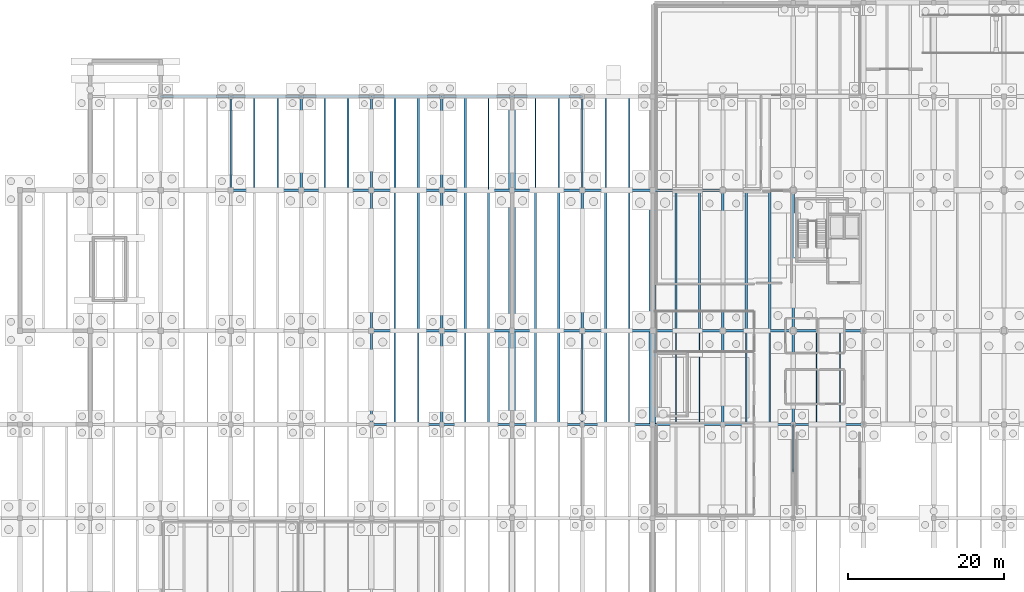
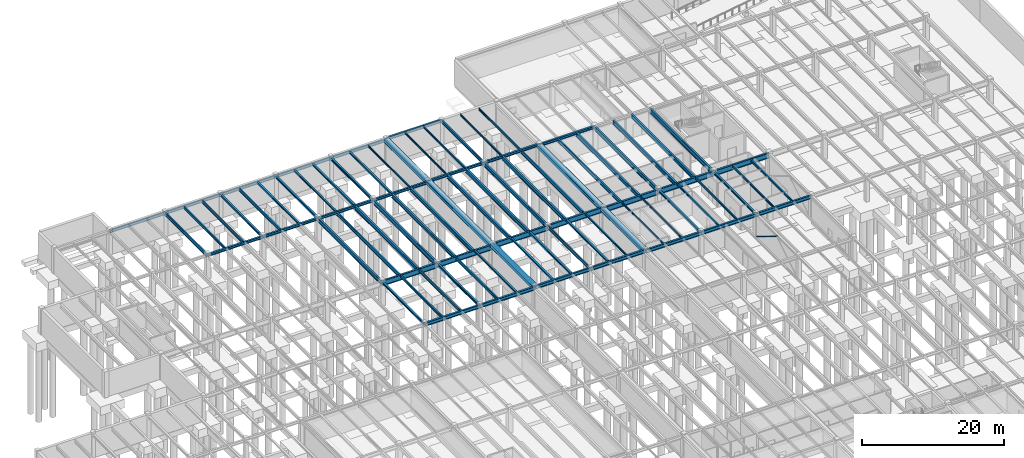
# One storey, part 18 of 40: 85 beams, 1 member.
"""IFC4 building model written with IfcOpenShell, lengths in metres."""

import ifcopenshell
import ifcopenshell.guid

model = None  # the IFC model being written
_history = None  # IfcOwnerHistory: only IFC2X3 demands one
_inside = {}  # id of a spatial element -> (the spatial element, [elements in it])
_under = {}  # id of a project, library or spatial element -> (it, [spatial elements below it])
_declared = {}  # id of a project -> (the project, [libraries it declares])
_typed = {}  # id of a type object -> (the type object, [elements of that type])
_made_of = {}  # id of a material, layer set ... -> (it, [elements and type objects made of it])


def new_model(schema):
    """Start an empty IFC model of exactly this schema.

    Asked for "IFC4X3", IfcOpenShell would pick the latest addendum, in which some entities
    have other attributes; the version numbers below select the first issue.
    IFC2X3 requires an IfcOwnerHistory on every rooted entity: one is made here for all.
    """
    global model, _history
    if schema == "IFC4X3":
        model = ifcopenshell.file(schema_version=(4, 3, 0, 0))
    else:
        model = ifcopenshell.file(schema=schema)
    _inside.clear()
    _under.clear()
    _declared.clear()
    _typed.clear()
    _made_of.clear()
    _history = None
    if model.schema == "IFC2X3":
        org = make("IfcOrganization", Name="unknown")
        user = make(
            "IfcPersonAndOrganization",
            ThePerson=make("IfcPerson", FamilyName="unknown"),
            TheOrganization=org,
        )
        app = make(
            "IfcApplication",
            ApplicationDeveloper=org,
            Version="unknown",
            ApplicationFullName="unknown",
            ApplicationIdentifier="unknown",
        )
        _history = make(
            "IfcOwnerHistory",
            OwningUser=user,
            OwningApplication=app,
            ChangeAction="ADDED",
            CreationDate=0,
        )
    return model


def make(cls, **values):
    """One entity of the class cls with the attributes given. An attribute that is None is left unset."""
    return model.create_entity(
        cls, **{name: value for name, value in values.items() if value is not None}
    )


def rooted(cls, **values):
    """An entity with a GlobalId (a new one), such as an element, a storey or a relation."""
    return make(cls, GlobalId=ifcopenshell.guid.new(), OwnerHistory=_history, **values)


def si_unit(unit_type, name, prefix=None):
    """IfcSIUnit, for example si_unit("LENGTHUNIT", "METRE", prefix="MILLI")."""
    return make("IfcSIUnit", UnitType=unit_type, Prefix=prefix, Name=name)


def assignment(units):
    """IfcUnitAssignment: the units of a project."""
    return None if units is None else make("IfcUnitAssignment", Units=units)


def point(xyz):
    """IfcCartesianPoint."""
    return None if xyz is None else make("IfcCartesianPoint", Coordinates=xyz)


def direction(xyz):
    """IfcDirection."""
    return None if xyz is None else make("IfcDirection", DirectionRatios=xyz)


def frame(location, z_axis=None, x_axis=None):
    """IfcAxis2Placement3D, a coordinate frame: its origin and axes. An axis left out is left unset."""
    return make(
        "IfcAxis2Placement3D",
        Location=point(location),
        Axis=direction(z_axis),
        RefDirection=direction(x_axis),
    )


def frame_2d(location, x_axis=None):
    """IfcAxis2Placement2D, a coordinate frame in the plane: its origin and x axis."""
    return make(
        "IfcAxis2Placement2D", Location=point(location), RefDirection=direction(x_axis)
    )


def origin():
    """The frame at (0, 0, 0) with its axes left unset."""
    return frame((0.0, 0.0, 0.0))


def origin_2d():
    """The frame at (0, 0) in the plane with its x axis left unset."""
    return frame_2d((0.0, 0.0))


def place(relative_to, where):
    """IfcLocalPlacement: puts the frame where relative to a parent placement (None: the world)."""
    return make(
        "IfcLocalPlacement", PlacementRelTo=relative_to, RelativePlacement=where
    )


def context(
    kind, dimensions, precision=None, world=None, true_north=None, identifier=None
):
    """IfcGeometricRepresentationContext, for example the 3D "Model" context."""
    return make(
        "IfcGeometricRepresentationContext",
        ContextIdentifier=identifier,
        ContextType=kind,
        CoordinateSpaceDimension=dimensions,
        Precision=precision,
        WorldCoordinateSystem=world,
        TrueNorth=true_north,
    )


def subcontext(parent, identifier, kind, view, scale=None):
    """IfcGeometricRepresentationSubContext, for example "Body" below "Model"."""
    return make(
        "IfcGeometricRepresentationSubContext",
        ContextIdentifier=identifier,
        ContextType=kind,
        ParentContext=parent,
        TargetScale=scale,
        TargetView=view,
    )


def project(units=None, contexts=None):
    """IfcProject with its units and contexts."""
    return rooted(
        "IfcProject",
        Name="project",
        RepresentationContexts=contexts,
        UnitsInContext=assignment(units),
    )


def spatial(cls, under=None, at=None, **own):
    """A site, building, storey or space (cls), placed at a placement, below another one or the project."""
    s = rooted(cls, ObjectPlacement=at, **own)
    if under is not None:
        _under.setdefault(under.id(), (under, []))[1].append(s)
    return s


def profile(cls, at=None, kind="AREA", **sizes):
    """A parametric profile (cls). Its sizes go by their IFC names, for example OverallWidth=200.0."""
    return make(cls, ProfileType=kind, Position=at, **sizes)


def hollow_circle(**sizes):
    """IfcCircleHollowProfileDef."""
    return profile("IfcCircleHollowProfileDef", **sizes)


def i_section(**sizes):
    """IfcIShapeProfileDef."""
    return profile("IfcIShapeProfileDef", **sizes)


def extrude(swept, where, along, depth):
    """IfcExtrudedAreaSolid: the profile swept, set in the frame where, extruded along a direction by depth."""
    return make(
        "IfcExtrudedAreaSolid",
        SweptArea=swept,
        Position=where,
        ExtrudedDirection=direction(along),
        Depth=depth,
    )


def shape(context_of_items, identifier, shape_type, items):
    """IfcShapeRepresentation: the items that make up one representation, for example the "Body"."""
    return make(
        "IfcShapeRepresentation",
        ContextOfItems=context_of_items,
        RepresentationIdentifier=identifier,
        RepresentationType=shape_type,
        Items=items,
    )


def material(Name=None, Category=None):
    """IfcMaterial."""
    return make("IfcMaterial", Name=Name, Category=Category)


def material_profile(
    of_material, cross_section, Name=None, Category=None, Priority=None
):
    """IfcMaterialProfile: a cross section and its material."""
    return make(
        "IfcMaterialProfile",
        Name=Name,
        Material=of_material,
        Profile=cross_section,
        Priority=Priority,
        Category=Category,
    )


def profile_set(profiles, Name=None, composite=None):
    """IfcMaterialProfileSet."""
    return make(
        "IfcMaterialProfileSet",
        Name=Name,
        MaterialProfiles=profiles,
        CompositeProfile=composite,
    )


def made_of(thing, what):
    """Note that an element or type object is made of a material, layer set ...; save() writes the relation."""
    if what is not None:
        _made_of.setdefault(what.id(), (what, []))[1].append(thing)
    return thing


def type_object(cls, material=None, **own):
    """A type object (cls), such as IfcWallType, which elements share."""
    return made_of(rooted(cls, **own), material)


def element(
    cls,
    number,
    at=None,
    inside=None,
    cuts=None,
    type_object=None,
    material=None,
    context=None,
    identifier="Body",
    shape_type=None,
    held_by="IfcProductDefinitionShape",
    body=None,
    shapes=None,
    **own,
):
    """One element of the class cls, such as IfcWall. Its Tag is "e" and its number.

    at: its placement. inside: the storey or other place that contains it. cuts: it is an
    opening in that element (IfcRelVoidsElement). A single representation is given by context,
    identifier, shape_type and body (its items); several are given by shapes. held_by: the class
    of the entity that holds the representations. save() writes the other relations.
    """
    e = rooted(cls, Tag="e%d" % number, ObjectPlacement=at, **own)
    if body is not None:
        shapes = [shape(context, identifier, shape_type, body)]
    if shapes is not None:
        e.Representation = make(held_by, Representations=shapes)
    if inside is not None:
        _inside.setdefault(inside.id(), (inside, []))[1].append(e)
    if cuts is not None:
        rooted(
            "IfcRelVoidsElement", RelatingBuildingElement=cuts, RelatedOpeningElement=e
        )
    if type_object is not None:
        _typed.setdefault(type_object.id(), (type_object, []))[1].append(e)
    return made_of(e, material)


def aggregate(whole, parts):
    """IfcRelAggregates: a whole, such as a stair, and the parts it consists of."""
    return rooted("IfcRelAggregates", RelatingObject=whole, RelatedObjects=parts)


def save(model, path):
    """Write the relations noted so far, then the file.

    IfcRelAggregates (storeys below a building ...), IfcRelContainedInSpatialStructure (elements
    in a storey), IfcRelDefinesByType, IfcRelAssociatesMaterial and IfcRelDeclares: one each for
    every whole, place, type object, material and project.
    """
    for whole, parts in _under.values():
        aggregate(whole, parts)
    for where, things in _inside.values():
        rooted(
            "IfcRelContainedInSpatialStructure",
            RelatedElements=things,
            RelatingStructure=where,
        )
    for kind, things in _typed.values():
        rooted("IfcRelDefinesByType", RelatedObjects=things, RelatingType=kind)
    for what, things in _made_of.values():
        rooted("IfcRelAssociatesMaterial", RelatedObjects=things, RelatingMaterial=what)
    for by, libraries in _declared.values():
        rooted("IfcRelDeclares", RelatingContext=by, RelatedDefinitions=libraries)
    model.write(path)


model = new_model("IFC4")

# Units and contexts
model_context = context("Model", 3, precision=1e-05, world=origin(), true_north=direction((0.0, 1.0)))
body_context = subcontext(model_context, "Body", "Model", "MODEL_VIEW")
ifc_project = project(units=[si_unit("LENGTHUNIT", "METRE"), si_unit("AREAUNIT", "SQUARE_METRE"), si_unit("VOLUMEUNIT", "CUBIC_METRE"), si_unit("PLANEANGLEUNIT", "RADIAN"), si_unit("MASSUNIT", "GRAM", prefix="KILO")], contexts=[model_context])

# Site, building, storey
site_placement = place(None, origin())
site = spatial("IfcSite", under=ifc_project, at=site_placement, CompositionType="ELEMENT")
building_placement = place(site_placement, origin())
building = spatial("IfcBuilding", under=site, at=building_placement, Name="Montelvaro Courts of Justice", CompositionType="ELEMENT")
storey_placement = place(building_placement, frame((0.0, 0.0, -4.5)))
storey = spatial("IfcBuildingStorey", under=building, at=storey_placement, Name="B01", CompositionType="ELEMENT", Elevation=-4.5)

# Beams
ifc_material = material(Name="Steel S355", Category="steel")
ifc_material_profile_1 = material_profile(ifc_material, i_section(OverallWidth=0.280029296875, OverallDepth=0.27001953125, WebThickness=0.008056640625, FlangeThickness=0.012939453125, at=origin_2d()), Name="HEA 280")
ifc_profile_set_1 = profile_set([ifc_material_profile_1], Name="Steel S355")
beam_type_1 = type_object("IfcBeamType", Name="Beam_HEA280", PredefinedType="BEAM", material=ifc_profile_set_1)
for number, where, z_axis, x_axis, name in (
    (1, (60.0, 96.110107421875, 4.044921875), (0.0, 1.0, 0.0), (-1.0, 0.0, 0.0), "Beam B-14 B01"),
    (2, (66.0, 96.110107421875, 4.044921875), (0.0, 1.0, 0.0), (-1.0, 0.0, 0.0), "Beam B-14 B01"),
    (3, (78.0, 66.110107421875, 4.18505859375), (0.0, 1.0, 0.0), (-1.0, 0.0, 0.0), "Beam B-14 B01"),
    (4, (84.0, 66.110107421875, 4.18505859375), (0.0, 1.0, 0.0), (-1.0, 0.0, 0.0), "Beam B-14 B01"),
):
    element("IfcBeam", number, at=place(storey_placement, frame(where, z_axis=z_axis, x_axis=x_axis)), inside=storey, type_object=beam_type_1, Name=name, PredefinedType="BEAM", context=body_context, shape_type="SweptSolid", body=[
        extrude(i_section(OverallWidth=0.280029296875, OverallDepth=0.27001953125, WebThickness=0.008056640625, FlangeThickness=0.012939453125, at=origin_2d()), origin(), (0.0, 0.0, 1.0), 11.77978515625),
    ])
ifc_material_profile_2 = material_profile(ifc_material, i_section(OverallWidth=0.300048828125, OverallDepth=0.31005859375, WebThickness=0.009033203125, FlangeThickness=0.015380859375, at=origin_2d()), Name="HEA 320")
ifc_profile_set_2 = profile_set([ifc_material_profile_2], Name="Steel S355")
beam_type_2 = type_object("IfcBeamType", Name="Beam_HEA320", PredefinedType="BEAM", material=ifc_profile_set_2)
for number, where, z_axis, x_axis, name in (
    (5, (69.0, 96.110107421875, 4.02490234375), (0.0, 1.0, 0.0), (-1.0, 0.0, 0.0), "Beam B-15 B01"),
    (6, (75.0, 96.110107421875, 4.02490234375), (0.0, 1.0, 0.0), (-1.0, 0.0, 0.0), "Beam B-15 B01"),
    (7, (87.0, 66.110107421875, 4.1650390625), (0.0, 1.0, 0.0), (-1.0, 0.0, 0.0), "Beam B-15 B01"),
    (8, (93.0, 66.110107421875, 4.1650390625), (0.0, 1.0, 0.0), (-1.0, 0.0, 0.0), "Beam B-15 B01"),
):
    element("IfcBeam", number, at=place(storey_placement, frame(where, z_axis=z_axis, x_axis=x_axis)), inside=storey, type_object=beam_type_2, Name=name, PredefinedType="BEAM", context=body_context, shape_type="SweptSolid", body=[
        extrude(i_section(OverallWidth=0.300048828125, OverallDepth=0.31005859375, WebThickness=0.009033203125, FlangeThickness=0.015380859375, at=origin_2d()), origin(), (0.0, 0.0, 1.0), 11.77978515625),
    ])
ifc_material_profile_3 = material_profile(ifc_material, i_section(OverallWidth=0.300048828125, OverallDepth=0.35009765625, WebThickness=0.010009765625, FlangeThickness=0.017578125, at=origin_2d()), Name="HEA 360")
ifc_profile_set_3 = profile_set([ifc_material_profile_3], Name="Steel S355")
beam_type_3 = type_object("IfcBeamType", Name="Beam_HEA360", PredefinedType="USERDEFINED", material=ifc_profile_set_3)
for number, where, z_axis, x_axis, name in (
    (9, (54.0, 96.0, 4.0048828125), (0.0, 1.0, 0.0), (-1.0, 0.0, 0.0), "Beam B-16 B01"),
    (10, (108.0, 66.0, 4.02490234375), (0.0, 1.0, 0.0), (-1.0, 0.0, 0.0), "Beam B-16 B01"),
):
    element("IfcBeam", number, at=place(storey_placement, frame(where, z_axis=z_axis, x_axis=x_axis)), inside=storey, type_object=beam_type_3, Name=name, ObjectType="GIRDER", PredefinedType="USERDEFINED", context=body_context, shape_type="SweptSolid", body=[
        extrude(i_section(OverallWidth=0.300048828125, OverallDepth=0.35009765625, WebThickness=0.010009765625, FlangeThickness=0.017578125, at=origin_2d()), origin(), (0.0, 0.0, 1.0), 12.0),
    ])
ifc_material_profile_4 = material_profile(ifc_material, i_section(OverallWidth=0.300048828125, OverallDepth=0.389892578125, WebThickness=0.010986328125, FlangeThickness=0.01904296875, at=origin_2d()), Name="HEA 400")
ifc_profile_set_4 = profile_set([ifc_material_profile_4], Name="Steel S355")
beam_type_4 = type_object("IfcBeamType", Name="Beam_HEA400", PredefinedType="USERDEFINED", material=ifc_profile_set_4)
for number, where, z_axis, x_axis, name in (
    (11, (63.0, 66.0, 4.02490234375), (0.0, 1.0, 0.0), (-1.0, 0.0, 0.0), "Beam B-17 B01"),
    (12, (63.0, 96.0, 3.985107421875), (0.0, 1.0, 0.0), (-1.0, 0.0, 0.0), "Beam B-17 B01"),
    (13, (117.0, 66.0, 4.0048828125), (0.0, 1.0, 0.0), (-1.0, 0.0, 0.0), "Beam B-17 B01"),
):
    element("IfcBeam", number, at=place(storey_placement, frame(where, z_axis=z_axis, x_axis=x_axis)), inside=storey, type_object=beam_type_4, Name=name, ObjectType="GIRDER", PredefinedType="USERDEFINED", context=body_context, shape_type="SweptSolid", body=[
        extrude(i_section(OverallWidth=0.300048828125, OverallDepth=0.389892578125, WebThickness=0.010986328125, FlangeThickness=0.01904296875, at=origin_2d()), origin(), (0.0, 0.0, 1.0), 12.0),
    ])
ifc_material_profile_5 = material_profile(ifc_material, i_section(OverallWidth=0.300048828125, OverallDepth=0.43994140625, WebThickness=0.011474609375, FlangeThickness=0.02099609375, at=origin_2d()), Name="HEA 450")
ifc_profile_set_5 = profile_set([ifc_material_profile_5], Name="Steel S355")
beam_type_5 = type_object("IfcBeamType", Name="Beam_HEA450", PredefinedType="USERDEFINED", material=ifc_profile_set_5)
for number, where, z_axis, x_axis, name in (
    (14, (45.0, 96.0, 3.9599609375), (1.0, 0.0, 0.0), (0.0, 1.0, 0.0), "Beam B-18 B01"),
    (15, (54.0, 96.0, 3.9599609375), (1.0, 0.0, 0.0), (0.0, 1.0, 0.0), "Beam B-18 B01"),
    (16, (63.0, 96.0, 3.9599609375), (1.0, 0.0, 0.0), (0.0, 1.0, 0.0), "Beam B-18 B01"),
):
    element("IfcBeam", number, at=place(storey_placement, frame(where, z_axis=z_axis, x_axis=x_axis)), inside=storey, type_object=beam_type_5, Name=name, ObjectType="GIRDER", PredefinedType="USERDEFINED", context=body_context, shape_type="SweptSolid", body=[
        extrude(i_section(OverallWidth=0.300048828125, OverallDepth=0.43994140625, WebThickness=0.011474609375, FlangeThickness=0.02099609375, at=origin_2d()), origin(), (0.0, 0.0, 1.0), 9.0),
    ])
for number, where, z_axis, x_axis, name in (
    (17, (72.0, 96.0, 3.9599609375), (1.0, 0.0, 0.0), (0.0, 1.0, 0.0), "Beam B-18 B01"),
    (18, (81.050048828125, 96.0, 4.10009765625), (1.0, 0.0, 0.0), (0.0, 1.0, 0.0), "Beam B-18 B01"),
    (19, (90.0, 96.0, 4.10009765625), (1.0, 0.0, 0.0), (0.0, 1.0, 0.0), "Beam B-18 B01"),
    (20, (99.050048828125, 96.0, 3.97998046875), (1.0, 0.0, 0.0), (0.0, 1.0, 0.0), "Beam B-18 B01"),
):
    element("IfcBeam", number, at=place(storey_placement, frame(where, z_axis=z_axis, x_axis=x_axis)), inside=storey, type_object=beam_type_5, Name=name, ObjectType="GIRDER", PredefinedType="USERDEFINED", context=body_context, shape_type="SweptSolid", body=[
        extrude(i_section(OverallWidth=0.300048828125, OverallDepth=0.43994140625, WebThickness=0.011474609375, FlangeThickness=0.02099609375, at=origin_2d()), origin(), (0.0, 0.0, 1.0), 8.949951171875),
    ])
for number, where, z_axis, x_axis, name in (
    (21, (72.0, 66.0, 4.0), (0.0, 1.0, 0.0), (-1.0, 0.0, 0.0), "Beam B-18 B01"),
    (22, (72.0, 96.0, 3.9599609375), (0.0, 1.0, 0.0), (-1.0, 0.0, 0.0), "Beam B-18 B01"),
):
    element("IfcBeam", number, at=place(storey_placement, frame(where, z_axis=z_axis, x_axis=x_axis)), inside=storey, type_object=beam_type_5, Name=name, ObjectType="GIRDER", PredefinedType="USERDEFINED", context=body_context, shape_type="SweptSolid", body=[
        extrude(i_section(OverallWidth=0.300048828125, OverallDepth=0.43994140625, WebThickness=0.011474609375, FlangeThickness=0.02099609375, at=origin_2d()), origin(), (0.0, 0.0, 1.0), 12.0),
    ])
ifc_material_profile_6 = material_profile(ifc_material, i_section(OverallWidth=0.300048828125, OverallDepth=0.489990234375, WebThickness=0.011962890625, FlangeThickness=0.02294921875, at=origin_2d()), Name="HEA 500")
ifc_profile_set_6 = profile_set([ifc_material_profile_6], Name="Steel S355")
beam_type_6 = type_object("IfcBeamType", Name="Beam_HEA500", PredefinedType="USERDEFINED", material=ifc_profile_set_6)
for number, where, z_axis, x_axis, name in (
    (23, (36.0, 108.0, 3.93505859375), (1.0, 0.0, 0.0), (0.0, 1.0, 0.0), "Beam B-19 B01"),
    (24, (45.0, 108.0, 3.93505859375), (1.0, 0.0, 0.0), (0.0, 1.0, 0.0), "Beam B-19 B01"),
    (25, (54.0, 108.0, 3.93505859375), (1.0, 0.0, 0.0), (0.0, 1.0, 0.0), "Beam B-19 B01"),
    (26, (63.0, 108.0, 3.93505859375), (1.0, 0.0, 0.0), (0.0, 1.0, 0.0), "Beam B-19 B01"),
):
    element("IfcBeam", number, at=place(storey_placement, frame(where, z_axis=z_axis, x_axis=x_axis)), inside=storey, type_object=beam_type_6, Name=name, ObjectType="GIRDER", PredefinedType="USERDEFINED", context=body_context, shape_type="SweptSolid", body=[
        extrude(i_section(OverallWidth=0.300048828125, OverallDepth=0.489990234375, WebThickness=0.011962890625, FlangeThickness=0.02294921875, at=origin_2d()), origin(), (0.0, 0.0, 1.0), 9.0),
    ])
for number, where, z_axis, x_axis, name in (
    (27, (72.0, 108.0, 3.93505859375), (1.0, 0.0, 0.0), (0.0, 1.0, 0.0), "Beam B-19 B01"),
    (28, (81.050048828125, 108.0, 4.074951171875), (1.0, 0.0, 0.0), (0.0, 1.0, 0.0), "Beam B-19 B01"),
):
    element("IfcBeam", number, at=place(storey_placement, frame(where, z_axis=z_axis, x_axis=x_axis)), inside=storey, type_object=beam_type_6, Name=name, ObjectType="GIRDER", PredefinedType="USERDEFINED", context=body_context, shape_type="SweptSolid", body=[
        extrude(i_section(OverallWidth=0.300048828125, OverallDepth=0.489990234375, WebThickness=0.011962890625, FlangeThickness=0.02294921875, at=origin_2d()), origin(), (0.0, 0.0, 1.0), 8.949951171875),
    ])
ifc_material_profile_7 = material_profile(ifc_material, i_section(OverallWidth=0.300048828125, OverallDepth=0.639892578125, WebThickness=0.013427734375, FlangeThickness=0.02587890625, at=origin_2d()), Name="HEA 650")
ifc_profile_set_7 = profile_set([ifc_material_profile_7], Name="Steel S355")
beam_type_7 = type_object("IfcBeamType", Name="Beam_HEA650", PredefinedType="USERDEFINED", material=ifc_profile_set_7)
for number, where, z_axis, x_axis, name in (
    (29, (78.0, 78.110107421875, 3.860107421875), (0.0, 1.0, 0.0), (-1.0, 0.0, 0.0), "Beam B-22 B01"),
    (30, (84.0, 78.110107421875, 4.0), (0.0, 1.0, 0.0), (-1.0, 0.0, 0.0), "Beam B-22 B01"),
    (31, (114.0, 78.110107421875, 3.8798828125), (0.0, 1.0, 0.0), (-1.0, 0.0, 0.0), "Beam B-22 B01"),
):
    element("IfcBeam", number, at=place(storey_placement, frame(where, z_axis=z_axis, x_axis=x_axis)), inside=storey, type_object=beam_type_7, Name=name, ObjectType="GIRDER", PredefinedType="USERDEFINED", context=body_context, shape_type="SweptSolid", body=[
        extrude(i_section(OverallWidth=0.300048828125, OverallDepth=0.639892578125, WebThickness=0.013427734375, FlangeThickness=0.02587890625, at=origin_2d()), origin(), (0.0, 0.0, 1.0), 17.77978515625),
    ])
ifc_material_profile_8 = material_profile(ifc_material, i_section(OverallWidth=0.300048828125, OverallDepth=0.68994140625, WebThickness=0.014404296875, FlangeThickness=0.027099609375, at=origin_2d()), Name="HEA 700")
ifc_profile_set_8 = profile_set([ifc_material_profile_8], Name="Steel S355")
beam_type_8 = type_object("IfcBeamType", Name="Beam_HEA700", PredefinedType="USERDEFINED", material=ifc_profile_set_8)
for number, where, z_axis, x_axis, name in (
    (32, (63.0, 78.0, 3.8349609375), (0.0, 1.0, 0.0), (-1.0, 0.0, 0.0), "Beam B-23 B01"),
    (33, (108.0, 78.0, 3.85498046875), (0.0, 1.0, 0.0), (-1.0, 0.0, 0.0), "Beam B-23 B01"),
):
    element("IfcBeam", number, at=place(storey_placement, frame(where, z_axis=z_axis, x_axis=x_axis)), inside=storey, type_object=beam_type_8, Name=name, ObjectType="GIRDER", PredefinedType="USERDEFINED", context=body_context, shape_type="SweptSolid", body=[
        extrude(i_section(OverallWidth=0.300048828125, OverallDepth=0.68994140625, WebThickness=0.014404296875, FlangeThickness=0.027099609375, at=origin_2d()), origin(), (0.0, 0.0, 1.0), 18.0),
    ])
for number, where, z_axis, x_axis, name in (
    (34, (87.0, 78.110107421875, 3.97509765625), (0.0, 1.0, 0.0), (-1.0, 0.0, 0.0), "Beam B-23 B01"),
    (35, (93.0, 78.110107421875, 3.97509765625), (0.0, 1.0, 0.0), (-1.0, 0.0, 0.0), "Beam B-23 B01"),
):
    element("IfcBeam", number, at=place(storey_placement, frame(where, z_axis=z_axis, x_axis=x_axis)), inside=storey, type_object=beam_type_8, Name=name, ObjectType="GIRDER", PredefinedType="USERDEFINED", context=body_context, shape_type="SweptSolid", body=[
        extrude(i_section(OverallWidth=0.300048828125, OverallDepth=0.68994140625, WebThickness=0.014404296875, FlangeThickness=0.027099609375, at=origin_2d()), origin(), (0.0, 0.0, 1.0), 17.77978515625),
    ])
ifc_material_profile_9 = material_profile(ifc_material, i_section(OverallWidth=0.300048828125, OverallDepth=0.7900390625, WebThickness=0.014892578125, FlangeThickness=0.028076171875, at=origin_2d()), Name="HEA 800")
ifc_profile_set_9 = profile_set([ifc_material_profile_9], Name="Steel S355")
beam_type_9 = type_object("IfcBeamType", Name="Beam_HEA800", PredefinedType="USERDEFINED", material=ifc_profile_set_9)
for number, where, z_axis, x_axis, name in (
    (36, (72.0, 78.0, 3.784912109375), (0.0, 1.0, 0.0), (-1.0, 0.0, 0.0), "Beam B-24 B01"),
    (37, (117.0, 78.0, 3.804931640625), (0.0, 1.0, 0.0), (-1.0, 0.0, 0.0), "Beam B-24 B01"),
):
    element("IfcBeam", number, at=place(storey_placement, frame(where, z_axis=z_axis, x_axis=x_axis)), inside=storey, type_object=beam_type_9, Name=name, ObjectType="GIRDER", PredefinedType="USERDEFINED", context=body_context, shape_type="SweptSolid", body=[
        extrude(i_section(OverallWidth=0.300048828125, OverallDepth=0.7900390625, WebThickness=0.014892578125, FlangeThickness=0.028076171875, at=origin_2d()), origin(), (0.0, 0.0, 1.0), 18.0),
    ])
ifc_material_profile_10 = material_profile(ifc_material, i_section(OverallWidth=0.300048828125, OverallDepth=0.60009765625, WebThickness=0.015380859375, FlangeThickness=0.030029296875, at=origin_2d()), Name="HEB 600")
ifc_profile_set_10 = profile_set([ifc_material_profile_10], Name="Steel S355")
beam_type_10 = type_object("IfcBeamType", Name="Beam_HEB600", PredefinedType="USERDEFINED", material=ifc_profile_set_10)
beam_1_placement = place(storey_placement, frame((63.0, 66.0, 3.919921875), z_axis=(1.0, 0.0, 0.0), x_axis=(0.0, 1.0, 0.0)))
element("IfcBeam", 38, at=beam_1_placement, inside=storey, type_object=beam_type_10, Name="Beam B-26 B01", ObjectType="GIRDER", PredefinedType="USERDEFINED", context=body_context, shape_type="SweptSolid", body=[
    extrude(i_section(OverallWidth=0.300048828125, OverallDepth=0.60009765625, WebThickness=0.015380859375, FlangeThickness=0.030029296875, at=origin_2d()), origin(), (0.0, 0.0, 1.0), 9.0),
])
for number, where, z_axis, x_axis, name in (
    (39, (72.0, 66.0, 3.919921875), (1.0, 0.0, 0.0), (0.0, 1.0, 0.0), "Beam B-26 B01"),
    (40, (81.050048828125, 66.0, 4.02001953125), (1.0, 0.0, 0.0), (0.0, 1.0, 0.0), "Beam B-26 B01"),
    (41, (90.0, 66.0, 4.02001953125), (1.0, 0.0, 0.0), (0.0, 1.0, 0.0), "Beam B-26 B01"),
    (42, (99.050048828125, 66.0, 3.89990234375), (1.0, 0.0, 0.0), (0.0, 1.0, 0.0), "Beam B-26 B01"),
):
    element("IfcBeam", number, at=place(storey_placement, frame(where, z_axis=z_axis, x_axis=x_axis)), inside=storey, type_object=beam_type_10, Name=name, ObjectType="GIRDER", PredefinedType="USERDEFINED", context=body_context, shape_type="SweptSolid", body=[
        extrude(i_section(OverallWidth=0.300048828125, OverallDepth=0.60009765625, WebThickness=0.015380859375, FlangeThickness=0.030029296875, at=origin_2d()), origin(), (0.0, 0.0, 1.0), 8.949951171875),
    ])
for number, where, z_axis, x_axis, name in (
    (43, (108.0, 66.0, 3.89990234375), (1.0, 0.0, 0.0), (0.0, 1.0, 0.0), "Beam B-26 B01"),
    (44, (117.0, 66.0, 3.89990234375), (1.0, 0.0, 0.0), (0.0, 1.0, 0.0), "Beam B-26 B01"),
):
    element("IfcBeam", number, at=place(storey_placement, frame(where, z_axis=z_axis, x_axis=x_axis)), inside=storey, type_object=beam_type_10, Name=name, ObjectType="GIRDER", PredefinedType="USERDEFINED", context=body_context, shape_type="SweptSolid", body=[
        extrude(i_section(OverallWidth=0.300048828125, OverallDepth=0.60009765625, WebThickness=0.015380859375, FlangeThickness=0.030029296875, at=origin_2d()), origin(), (0.0, 0.0, 1.0), 9.0),
    ])
ifc_material_profile_11 = material_profile(ifc_material, i_section(OverallWidth=0.300048828125, OverallDepth=0.64990234375, WebThickness=0.01611328125, FlangeThickness=0.031005859375, at=origin_2d()), Name="HEB 650")
ifc_profile_set_11 = profile_set([ifc_material_profile_11], Name="Steel S355")
beam_type_11 = type_object("IfcBeamType", Name="Beam_HEB650", PredefinedType="USERDEFINED", material=ifc_profile_set_11)
beam_2_placement = place(storey_placement, frame((90.0, 78.0, 3.9951171875), z_axis=(0.0, 1.0, 0.0), x_axis=(-1.0, 0.0, 0.0)))
element("IfcBeam", 45, at=beam_2_placement, inside=storey, type_object=beam_type_11, Name="Beam B-27 B01", ObjectType="GIRDER", PredefinedType="USERDEFINED", context=body_context, shape_type="SweptSolid", body=[
    extrude(i_section(OverallWidth=0.300048828125, OverallDepth=0.64990234375, WebThickness=0.01611328125, FlangeThickness=0.031005859375, at=origin_2d()), origin(), (0.0, 0.0, 1.0), 18.0),
])
for number, where, z_axis, x_axis, name in (
    (46, (69.0, 78.110107421875, 3.85498046875), (0.0, 1.0, 0.0), (-1.0, 0.0, 0.0), "Beam B-27 B01"),
    (47, (75.0, 78.110107421875, 3.85498046875), (0.0, 1.0, 0.0), (-1.0, 0.0, 0.0), "Beam B-27 B01"),
    (48, (105.0, 78.110107421875, 3.875), (0.0, 1.0, 0.0), (-1.0, 0.0, 0.0), "Beam B-27 B01"),
    (49, (111.0, 78.110107421875, 3.875), (0.0, 1.0, 0.0), (-1.0, 0.0, 0.0), "Beam B-27 B01"),
):
    element("IfcBeam", number, at=place(storey_placement, frame(where, z_axis=z_axis, x_axis=x_axis)), inside=storey, type_object=beam_type_11, Name=name, ObjectType="GIRDER", PredefinedType="USERDEFINED", context=body_context, shape_type="SweptSolid", body=[
        extrude(i_section(OverallWidth=0.300048828125, OverallDepth=0.64990234375, WebThickness=0.01611328125, FlangeThickness=0.031005859375, at=origin_2d()), origin(), (0.0, 0.0, 1.0), 17.77978515625),
    ])
ifc_material_profile_12 = material_profile(ifc_material, i_section(OverallWidth=0.300048828125, OverallDepth=0.89990234375, WebThickness=0.0185546875, FlangeThickness=0.034912109375, at=origin_2d()), Name="HEB 900")
ifc_profile_set_12 = profile_set([ifc_material_profile_12], Name="Steel S355")
beam_type_12 = type_object("IfcBeamType", Name="Beam_HEB900", PredefinedType="USERDEFINED", material=ifc_profile_set_12)
beam_3_placement = place(storey_placement, frame((63.0, 78.0, 3.72998046875), z_axis=(1.0, 0.0, 0.0), x_axis=(0.0, 1.0, 0.0)))
element("IfcBeam", 50, at=beam_3_placement, inside=storey, type_object=beam_type_12, Name="Beam B-30 B01", ObjectType="GIRDER", PredefinedType="USERDEFINED", context=body_context, shape_type="SweptSolid", body=[
    extrude(i_section(OverallWidth=0.300048828125, OverallDepth=0.89990234375, WebThickness=0.0185546875, FlangeThickness=0.034912109375, at=origin_2d()), origin(), (0.0, 0.0, 1.0), 9.0),
])
for number, where, z_axis, x_axis, name in (
    (51, (72.0, 78.0, 3.72998046875), (1.0, 0.0, 0.0), (0.0, 1.0, 0.0), "Beam B-30 B01"),
    (52, (81.050048828125, 78.0, 3.8701171875), (1.0, 0.0, 0.0), (0.0, 1.0, 0.0), "Beam B-30 B01"),
    (53, (90.0, 78.0, 3.8701171875), (1.0, 0.0, 0.0), (0.0, 1.0, 0.0), "Beam B-30 B01"),
    (54, (99.050048828125, 78.0, 3.75), (1.0, 0.0, 0.0), (0.0, 1.0, 0.0), "Beam B-30 B01"),
):
    element("IfcBeam", number, at=place(storey_placement, frame(where, z_axis=z_axis, x_axis=x_axis)), inside=storey, type_object=beam_type_12, Name=name, ObjectType="GIRDER", PredefinedType="USERDEFINED", context=body_context, shape_type="SweptSolid", body=[
        extrude(i_section(OverallWidth=0.300048828125, OverallDepth=0.89990234375, WebThickness=0.0185546875, FlangeThickness=0.034912109375, at=origin_2d()), origin(), (0.0, 0.0, 1.0), 8.949951171875),
    ])
for number, where, z_axis, x_axis, name in (
    (55, (108.0, 78.0, 3.75), (1.0, 0.0, 0.0), (0.0, 1.0, 0.0), "Beam B-30 B01"),
    (56, (117.0, 78.0, 3.75), (1.0, 0.0, 0.0), (0.0, 1.0, 0.0), "Beam B-30 B01"),
):
    element("IfcBeam", number, at=place(storey_placement, frame(where, z_axis=z_axis, x_axis=x_axis)), inside=storey, type_object=beam_type_12, Name=name, ObjectType="GIRDER", PredefinedType="USERDEFINED", context=body_context, shape_type="SweptSolid", body=[
        extrude(i_section(OverallWidth=0.300048828125, OverallDepth=0.89990234375, WebThickness=0.0185546875, FlangeThickness=0.034912109375, at=origin_2d()), origin(), (0.0, 0.0, 1.0), 9.0),
    ])
ifc_material_profile_13 = material_profile(ifc_material, i_section(OverallWidth=0.14990234375, OverallDepth=0.300048828125, WebThickness=0.007080078125, FlangeThickness=0.0107421875, at=origin_2d()), Name="IPE 300")
ifc_profile_set_13 = profile_set([ifc_material_profile_13], Name="Steel S355")
beam_type_13 = type_object("IfcBeamType", Name="Beam_IPE300", PredefinedType="BEAM", material=ifc_profile_set_13)
for number, where, z_axis, x_axis, name in (
    (57, (78.0, 96.110107421875, 4.030029296875), (0.0, 1.0, 0.0), (-1.0, 0.0, 0.0), "Beam B-05 B01"),
    (58, (84.0, 96.110107421875, 4.169921875), (0.0, 1.0, 0.0), (-1.0, 0.0, 0.0), "Beam B-05 B01"),
    (59, (96.0, 66.110107421875, 4.169921875), (0.0, 1.0, 0.0), (-1.0, 0.0, 0.0), "Beam B-05 B01"),
    (60, (102.0, 66.110107421875, 4.050048828125), (0.0, 1.0, 0.0), (-1.0, 0.0, 0.0), "Beam B-05 B01"),
):
    element("IfcBeam", number, at=place(storey_placement, frame(where, z_axis=z_axis, x_axis=x_axis)), inside=storey, type_object=beam_type_13, Name=name, PredefinedType="BEAM", context=body_context, shape_type="SweptSolid", body=[
        extrude(i_section(OverallWidth=0.14990234375, OverallDepth=0.300048828125, WebThickness=0.007080078125, FlangeThickness=0.0107421875, at=origin_2d()), origin(), (0.0, 0.0, 1.0), 11.77978515625),
    ])
ifc_material_profile_14 = material_profile(ifc_material, i_section(OverallWidth=0.159912109375, OverallDepth=0.330078125, WebThickness=0.007568359375, FlangeThickness=0.011474609375, at=origin_2d()), Name="IPE 330")
ifc_profile_set_14 = profile_set([ifc_material_profile_14], Name="Steel S355")
beam_type_14 = type_object("IfcBeamType", Name="Beam_IPE330", PredefinedType="BEAM", material=ifc_profile_set_14)
for number, where, z_axis, x_axis, name in (
    (61, (87.0, 96.110107421875, 4.155029296875), (0.0, 1.0, 0.0), (-1.0, 0.0, 0.0), "Beam B-06 B01"),
    (62, (93.0, 96.110107421875, 4.155029296875), (0.0, 1.0, 0.0), (-1.0, 0.0, 0.0), "Beam B-06 B01"),
    (63, (105.0, 66.110107421875, 4.034912109375), (0.0, 1.0, 0.0), (-1.0, 0.0, 0.0), "Beam B-06 B01"),
    (64, (111.0, 66.110107421875, 4.034912109375), (0.0, 1.0, 0.0), (-1.0, 0.0, 0.0), "Beam B-06 B01"),
):
    element("IfcBeam", number, at=place(storey_placement, frame(where, z_axis=z_axis, x_axis=x_axis)), inside=storey, type_object=beam_type_14, Name=name, PredefinedType="BEAM", context=body_context, shape_type="SweptSolid", body=[
        extrude(i_section(OverallWidth=0.159912109375, OverallDepth=0.330078125, WebThickness=0.007568359375, FlangeThickness=0.011474609375, at=origin_2d()), origin(), (0.0, 0.0, 1.0), 11.77978515625),
    ])
ifc_material_profile_15 = material_profile(ifc_material, i_section(OverallWidth=0.169921875, OverallDepth=0.360107421875, WebThickness=0.008056640625, FlangeThickness=0.0126953125, at=origin_2d()), Name="IPE 360")
ifc_profile_set_15 = profile_set([ifc_material_profile_15], Name="Steel S355")
beam_type_15 = type_object("IfcBeamType", Name="Beam_IPE360", PredefinedType="BEAM", material=ifc_profile_set_15)
for number, where, z_axis, x_axis, name in (
    (65, (96.0, 96.110107421875, 4.139892578125), (0.0, 1.0, 0.0), (-1.0, 0.0, 0.0), "Beam B-07 B01"),
    (66, (114.0, 66.110107421875, 4.02001953125), (0.0, 1.0, 0.0), (-1.0, 0.0, 0.0), "Beam B-07 B01"),
    (67, (120.0, 66.110107421875, 4.02001953125), (0.0, 1.0, 0.0), (-1.0, 0.0, 0.0), "Beam B-07 B01"),
):
    element("IfcBeam", number, at=place(storey_placement, frame(where, z_axis=z_axis, x_axis=x_axis)), inside=storey, type_object=beam_type_15, Name=name, PredefinedType="BEAM", context=body_context, shape_type="SweptSolid", body=[
        extrude(i_section(OverallWidth=0.169921875, OverallDepth=0.360107421875, WebThickness=0.008056640625, FlangeThickness=0.0126953125, at=origin_2d()), origin(), (0.0, 0.0, 1.0), 11.77978515625),
    ])
ifc_material_profile_16 = material_profile(ifc_material, i_section(OverallWidth=0.179931640625, OverallDepth=0.39990234375, WebThickness=0.008544921875, FlangeThickness=0.013427734375, at=origin_2d()), Name="IPE 400")
ifc_profile_set_16 = profile_set([ifc_material_profile_16], Name="Steel S355")
beam_type_16 = type_object("IfcBeamType", Name="Beam_IPE400", PredefinedType="BEAM", material=ifc_profile_set_16)
beam_4_placement = place(storey_placement, frame((123.0, 66.110107421875, 4.0), z_axis=(0.0, 1.0, 0.0), x_axis=(-1.0, 0.0, 0.0)))
element("IfcBeam", 68, at=beam_4_placement, inside=storey, type_object=beam_type_16, Name="Beam B-08 B01", PredefinedType="BEAM", context=body_context, shape_type="SweptSolid", body=[
    extrude(i_section(OverallWidth=0.179931640625, OverallDepth=0.39990234375, WebThickness=0.008544921875, FlangeThickness=0.013427734375, at=origin_2d()), origin(), (0.0, 0.0, 1.0), 11.77978515625),
])
ifc_material_profile_17 = material_profile(ifc_material, i_section(OverallWidth=0.18994140625, OverallDepth=0.449951171875, WebThickness=0.009521484375, FlangeThickness=0.0146484375, at=origin_2d()), Name="IPE 450")
ifc_profile_set_17 = profile_set([ifc_material_profile_17], Name="Steel S355")
beam_type_17 = type_object("IfcBeamType", Name="Beam_IPE450", PredefinedType="BEAM", material=ifc_profile_set_17)
for number, where, z_axis, x_axis, name in (
    (69, (48.0, 96.110107421875, 3.955078125), (0.0, 1.0, 0.0), (-1.0, 0.0, 0.0), "Beam B-09 B01"),
    (70, (66.0, 66.110107421875, 3.9951171875), (0.0, 1.0, 0.0), (-1.0, 0.0, 0.0), "Beam B-09 B01"),
):
    element("IfcBeam", number, at=place(storey_placement, frame(where, z_axis=z_axis, x_axis=x_axis)), inside=storey, type_object=beam_type_17, Name=name, PredefinedType="BEAM", context=body_context, shape_type="SweptSolid", body=[
        extrude(i_section(OverallWidth=0.18994140625, OverallDepth=0.449951171875, WebThickness=0.009521484375, FlangeThickness=0.0146484375, at=origin_2d()), origin(), (0.0, 0.0, 1.0), 11.77978515625),
    ])
ifc_material_profile_18 = material_profile(ifc_material, i_section(OverallWidth=0.199951171875, OverallDepth=0.5, WebThickness=0.01025390625, FlangeThickness=0.01611328125, at=origin_2d()), Name="IPE 500")
ifc_profile_set_18 = profile_set([ifc_material_profile_18], Name="Steel S355")
beam_type_18 = type_object("IfcBeamType", Name="Beam_IPE500", PredefinedType="BEAM", material=ifc_profile_set_18)
for number, where, z_axis, x_axis, name in (
    (71, (51.0, 96.110107421875, 3.929931640625), (0.0, 1.0, 0.0), (-1.0, 0.0, 0.0), "Beam B-10 B01"),
    (72, (57.0, 96.110107421875, 3.929931640625), (0.0, 1.0, 0.0), (-1.0, 0.0, 0.0), "Beam B-10 B01"),
    (73, (69.0, 66.110107421875, 3.969970703125), (0.0, 1.0, 0.0), (-1.0, 0.0, 0.0), "Beam B-10 B01"),
    (74, (75.0, 66.110107421875, 3.969970703125), (0.0, 1.0, 0.0), (-1.0, 0.0, 0.0), "Beam B-10 B01"),
):
    element("IfcBeam", number, at=place(storey_placement, frame(where, z_axis=z_axis, x_axis=x_axis)), inside=storey, type_object=beam_type_18, Name=name, PredefinedType="BEAM", context=body_context, shape_type="SweptSolid", body=[
        extrude(i_section(OverallWidth=0.199951171875, OverallDepth=0.5, WebThickness=0.01025390625, FlangeThickness=0.01611328125, at=origin_2d()), origin(), (0.0, 0.0, 1.0), 11.77978515625),
    ])
ifc_material_profile_19 = material_profile(ifc_material, i_section(OverallWidth=0.2099609375, OverallDepth=0.550048828125, WebThickness=0.010986328125, FlangeThickness=0.01708984375, at=origin_2d()), Name="IPE 550")
ifc_profile_set_19 = profile_set([ifc_material_profile_19], Name="Steel S355")
beam_type_19 = type_object("IfcBeamType", Name="Beam_IPE550", PredefinedType="BEAM", material=ifc_profile_set_19)
for number, where, z_axis, x_axis, name in (
    (75, (90.0, 66.0, 4.044921875), (0.0, 1.0, 0.0), (-1.0, 0.0, 0.0), "Beam B-11 B01"),
    (76, (90.0, 96.0, 4.044921875), (0.0, 1.0, 0.0), (-1.0, 0.0, 0.0), "Beam B-11 B01"),
):
    element("IfcBeam", number, at=place(storey_placement, frame(where, z_axis=z_axis, x_axis=x_axis)), inside=storey, type_object=beam_type_19, Name=name, PredefinedType="BEAM", context=body_context, shape_type="SweptSolid", body=[
        extrude(i_section(OverallWidth=0.2099609375, OverallDepth=0.550048828125, WebThickness=0.010986328125, FlangeThickness=0.01708984375, at=origin_2d()), origin(), (0.0, 0.0, 1.0), 12.0),
    ])
ifc_material_profile_20 = material_profile(ifc_material, i_section(OverallWidth=0.219970703125, OverallDepth=0.60009765625, WebThickness=0.011962890625, FlangeThickness=0.01904296875, at=origin_2d()), Name="IPE 600")
ifc_profile_set_20 = profile_set([ifc_material_profile_20], Name="Steel S355")
beam_type_20 = type_object("IfcBeamType", Name="Beam_IPE600", PredefinedType="USERDEFINED", material=ifc_profile_set_20)
beam_5_placement = place(storey_placement, frame((45.0, 96.0, 3.8798828125), z_axis=(0.0, 1.0, 0.0), x_axis=(-1.0, 0.0, 0.0)))
element("IfcBeam", 77, at=beam_5_placement, inside=storey, type_object=beam_type_20, Name="Beam B-12 B01", ObjectType="GIRDER", PredefinedType="USERDEFINED", context=body_context, shape_type="SweptSolid", body=[
    extrude(i_section(OverallWidth=0.219970703125, OverallDepth=0.60009765625, WebThickness=0.011962890625, FlangeThickness=0.01904296875, at=origin_2d()), origin(), (0.0, 0.0, 1.0), 12.0),
])
for number, where, z_axis, x_axis, name in (
    (78, (66.0, 78.110107421875, 3.8798828125), (0.0, 1.0, 0.0), (-1.0, 0.0, 0.0), "Beam B-12 B01"),
    (79, (96.0, 78.110107421875, 4.02001953125), (0.0, 1.0, 0.0), (-1.0, 0.0, 0.0), "Beam B-12 B01"),
    (80, (102.0, 78.110107421875, 3.89990234375), (0.0, 1.0, 0.0), (-1.0, 0.0, 0.0), "Beam B-12 B01"),
):
    element("IfcBeam", number, at=place(storey_placement, frame(where, z_axis=z_axis, x_axis=x_axis)), inside=storey, type_object=beam_type_20, Name=name, ObjectType="GIRDER", PredefinedType="USERDEFINED", context=body_context, shape_type="SweptSolid", body=[
        extrude(i_section(OverallWidth=0.219970703125, OverallDepth=0.60009765625, WebThickness=0.011962890625, FlangeThickness=0.01904296875, at=origin_2d()), origin(), (0.0, 0.0, 1.0), 17.77978515625),
    ])
ifc_material_profile_21 = material_profile(ifc_material, i_section(OverallWidth=0.860107421875, OverallDepth=0.47998046875, WebThickness=0.02001953125, FlangeThickness=0.031982421875, at=origin_2d()), Name="HL 480x860")
ifc_profile_set_21 = profile_set([ifc_material_profile_21], Name="Steel S355")
beam_type_21 = type_object("IfcBeamType", Name="Beam_MJSeat_860", PredefinedType="USERDEFINED", material=ifc_profile_set_21)
beam_6_placement = place(storey_placement, frame((81.0, 66.0, 4.080078125), z_axis=(0.0, 1.0, 0.0), x_axis=(-1.0, 0.0, 0.0)))
element("IfcBeam", 81, at=beam_6_placement, inside=storey, type_object=beam_type_21, Name="Beam BC-01 B01", ObjectType="GIRDER", PredefinedType="USERDEFINED", context=body_context, shape_type="SweptSolid", body=[
    extrude(i_section(OverallWidth=0.860107421875, OverallDepth=0.47998046875, WebThickness=0.02001953125, FlangeThickness=0.031982421875, at=origin_2d()), origin(), (0.0, 0.0, 1.0), 12.0),
])
beam_7_placement = place(storey_placement, frame((81.0, 78.0, 3.93994140625), z_axis=(0.0, 1.0, 0.0), x_axis=(-1.0, 0.0, 0.0)))
element("IfcBeam", 82, at=beam_7_placement, inside=storey, type_object=beam_type_21, Name="Beam BC-01 B01", ObjectType="GIRDER", PredefinedType="USERDEFINED", context=body_context, shape_type="SweptSolid", body=[
    extrude(i_section(OverallWidth=0.860107421875, OverallDepth=0.47998046875, WebThickness=0.02001953125, FlangeThickness=0.031982421875, at=origin_2d()), origin(), (0.0, 0.0, 1.0), 18.0),
])
for number, where, z_axis, x_axis, name in (
    (83, (81.0, 96.0, 3.93994140625), (0.0, 1.0, 0.0), (-1.0, 0.0, 0.0), "Beam BC-01 B01"),
    (84, (99.0, 66.0, 3.9599609375), (0.0, 1.0, 0.0), (-1.0, 0.0, 0.0), "Beam BC-01 B01"),
):
    element("IfcBeam", number, at=place(storey_placement, frame(where, z_axis=z_axis, x_axis=x_axis)), inside=storey, type_object=beam_type_21, Name=name, ObjectType="GIRDER", PredefinedType="USERDEFINED", context=body_context, shape_type="SweptSolid", body=[
        extrude(i_section(OverallWidth=0.860107421875, OverallDepth=0.47998046875, WebThickness=0.02001953125, FlangeThickness=0.031982421875, at=origin_2d()), origin(), (0.0, 0.0, 1.0), 12.0),
    ])
beam_8_placement = place(storey_placement, frame((99.0, 78.0, 3.9599609375), z_axis=(0.0, 1.0, 0.0), x_axis=(-1.0, 0.0, 0.0)))
element("IfcBeam", 85, at=beam_8_placement, inside=storey, type_object=beam_type_21, Name="Beam BC-01 B01", ObjectType="GIRDER", PredefinedType="USERDEFINED", context=body_context, shape_type="SweptSolid", body=[
    extrude(i_section(OverallWidth=0.860107421875, OverallDepth=0.47998046875, WebThickness=0.02001953125, FlangeThickness=0.031982421875, at=origin_2d()), origin(), (0.0, 0.0, 1.0), 18.0),
])

# Member
ifc_material_profile_22 = material_profile(ifc_material, hollow_circle(Radius=0.136474609375, WallThickness=0.012451171875, at=origin_2d()), Name="CHS 273x12.5")
ifc_profile_set_22 = profile_set([ifc_material_profile_22], Name="Steel S355")
member_type = type_object("IfcMemberType", Name="Mem_CHS273_Brace", PredefinedType="BRACE", material=ifc_profile_set_22)
member_placement = place(storey_placement, frame((117.0, 65.919921875, 0.199951171875), z_axis=(0.0, -0.851201189548, 0.524839532536), x_axis=(1.0, 0.0, 0.0)))
element("IfcMember", 86, at=member_placement, inside=storey, type_object=member_type, Name="Lateral Braced Frame CBF4 Diagonal 2 (B01)", PredefinedType="BRACE", context=body_context, shape_type="SweptSolid", body=[
    extrude(hollow_circle(Radius=0.136474609375, WallThickness=0.012451171875, at=origin_2d()), origin(), (0.0, 0.0, 1.0), 6.954833984375),
])

save(model, "model.ifc")
